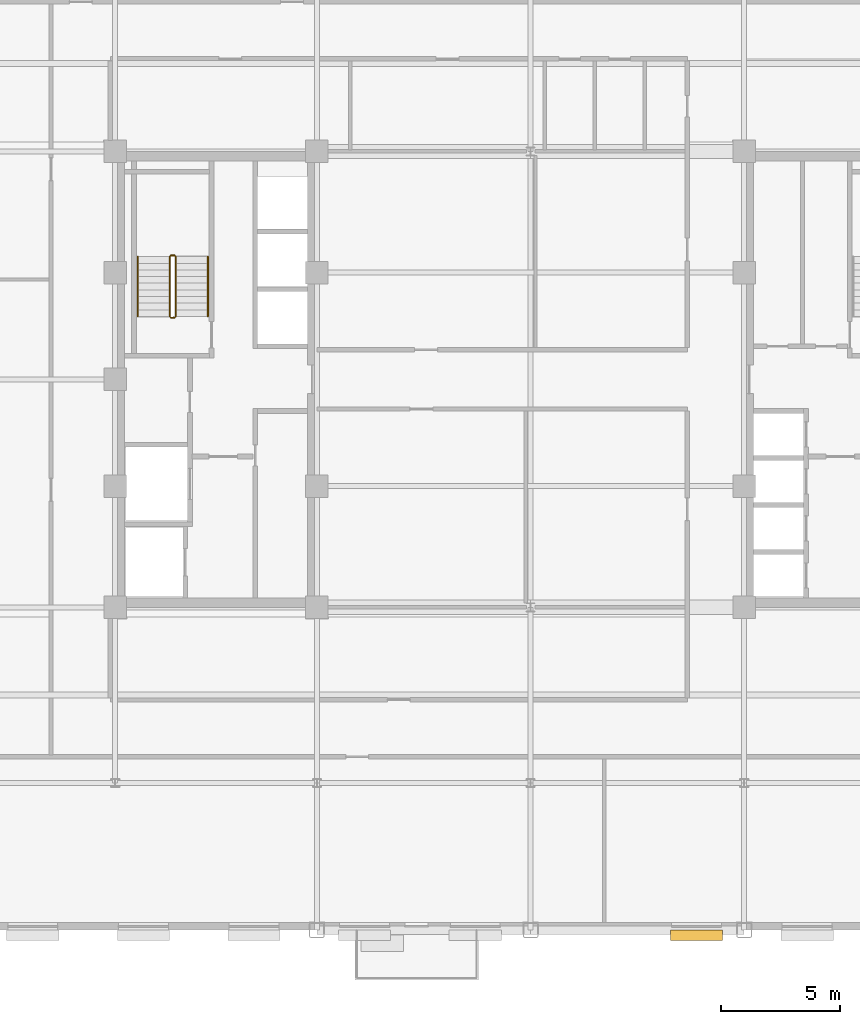
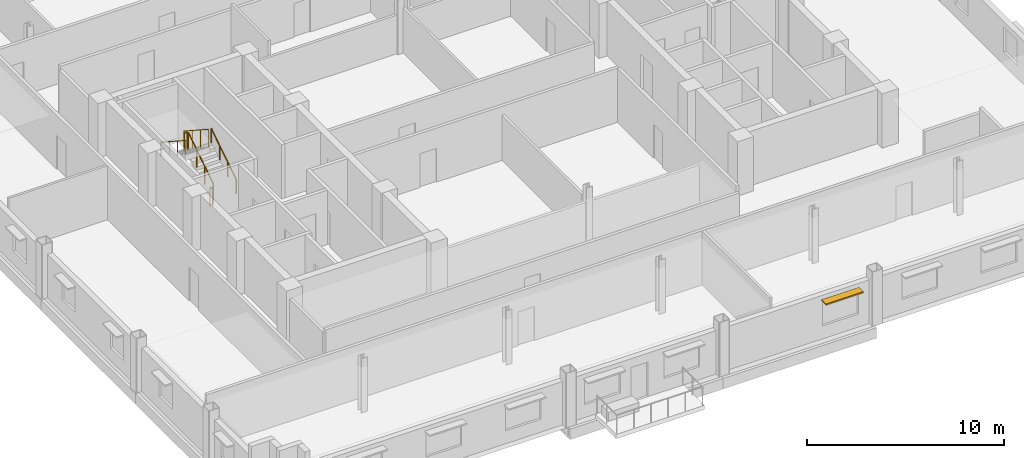
# One storey, part 12 of 14: 6 railings, 1 shading device.
"""IFC4 building model written with IfcOpenShell, lengths in metres."""

from ifc_helpers import new_model, si_unit, direction, frame, origin, origin_2d, place, context, subcontext, project, spatial, rectangle, circle, extrude, source, transform, mapped, material, type_object, type_shapes, element, save


model = new_model("IFC4")

# Units and contexts
model_context = context("Model", 3, precision=1e-05, world=origin(), true_north=direction((0.0, 1.0)))
body_context = subcontext(model_context, "Body", "Model", "MODEL_VIEW")
ifc_project = project(units=[si_unit("LENGTHUNIT", "METRE"), si_unit("AREAUNIT", "SQUARE_METRE"), si_unit("VOLUMEUNIT", "CUBIC_METRE"), si_unit("PLANEANGLEUNIT", "RADIAN"), si_unit("MASSUNIT", "GRAM", prefix="KILO")], contexts=[model_context])

# Site, building, storey
site_placement = place(None, origin())
site = spatial("IfcSite", under=ifc_project, at=site_placement, CompositionType="ELEMENT")
building_placement = place(site_placement, origin())
building = spatial("IfcBuilding", under=site, at=building_placement, Name="Nuvemarco Arch Tower", CompositionType="ELEMENT")
storey_placement = place(building_placement, frame((0.0, 0.0, 142.10009765625)))
storey = spatial("IfcBuildingStorey", under=building, at=storey_placement, Name="L37", CompositionType="ELEMENT", Elevation=142.10009765625)

# Railings
ifc_material_1 = material(Name="Brushed stainless steel handrail", Category="steel")
railing_type_1 = type_object("IfcRailingType", Name="RL-HANDRAIL-900", PredefinedType="HANDRAIL", material=ifc_material_1)
railing_1_placement = place(storey_placement, frame((-13.590087890625, 2.64990234375, 0.182373046875)))
element("IfcRailing", 1, at=railing_1_placement, inside=storey, type_object=railing_type_1, Name="L37 ST-1 stair handrail 1", PredefinedType="HANDRAIL", context=body_context, shape_type="SweptSolid", body=[
    extrude(circle(Radius=0.02392578125, at=origin_2d()), frame((0.0, 0.0, 0.8759765625), z_axis=(0.0, 0.837749427056, 0.546054848405), x_axis=(-1.0, 0.0, 0.0)), (0.0, 0.0, 1.0), 3.008056640625),
    extrude(circle(Radius=0.02099609375, at=origin_2d()), origin(), (0.0, 0.0, 1.0), 0.851806640625),
    extrude(circle(Radius=0.02099609375, at=origin_2d()), frame((0.0, 0.840087890625, 0.547607421875)), (0.0, 0.0, 1.0), 0.851806640625),
    extrude(circle(Radius=0.02099609375, at=origin_2d()), frame((0.0, 1.679931640625, 1.094970703125)), (0.0, 0.0, 1.0), 0.851806640625),
    extrude(circle(Radius=0.02099609375, at=origin_2d()), frame((0.0, 2.52001953125, 1.642578125)), (0.0, 0.0, 1.0), 0.851806640625),
])
railing_2_placement = place(storey_placement, frame((-16.550048828125, 5.169921875, 2.00732421875)))
element("IfcRailing", 2, at=railing_2_placement, inside=storey, type_object=railing_type_1, Name="L37 ST-1 stair handrail 2", PredefinedType="HANDRAIL", context=body_context, shape_type="SweptSolid", body=[
    extrude(circle(Radius=0.02392578125, at=origin_2d()), frame((0.0, 0.0, 0.8759765625), z_axis=(0.0, -0.837749427056, 0.546054848405), x_axis=(1.0, 0.0, 0.0)), (0.0, 0.0, 1.0), 3.008056640625),
    extrude(circle(Radius=0.02099609375, at=origin_2d()), origin(), (0.0, 0.0, 1.0), 0.851806640625),
    extrude(circle(Radius=0.02099609375, at=origin_2d()), frame((0.0, -0.840087890625, 0.547607421875)), (0.0, 0.0, 1.0), 0.851806640625),
    extrude(circle(Radius=0.02099609375, at=origin_2d()), frame((0.0, -1.679931640625, 1.094970703125)), (0.0, 0.0, 1.0), 0.851806640625),
    extrude(circle(Radius=0.02099609375, at=origin_2d()), frame((0.0, -2.52001953125, 1.642578125)), (0.0, 0.0, 1.0), 0.851806640625),
])
ifc_material_2 = material(Name="Painted balustrade steel S355", Category="steel")
railing_type_2 = type_object("IfcRailingType", Name="RL-STAIR-GUARD", PredefinedType="GUARDRAIL", material=ifc_material_2)
railing_3_placement = place(storey_placement, frame((-14.93994140625, 2.64990234375, 0.182373046875)))
element("IfcRailing", 3, at=railing_3_placement, inside=storey, type_object=railing_type_2, Name="L37 ST-1 stair guard 1", PredefinedType="GUARDRAIL", context=body_context, shape_type="SweptSolid", body=[
    extrude(circle(Radius=0.02392578125, at=origin_2d()), frame((0.0, 0.0, 1.09619140625), z_axis=(0.0, 0.837749427056, 0.546054848405), x_axis=(-1.0, 0.0, 0.0)), (0.0, 0.0, 1.0), 3.008056640625),
    extrude(circle(Radius=0.02099609375, at=origin_2d()), origin(), (0.0, 0.0, 1.0), 1.072021484375),
    extrude(circle(Radius=0.02099609375, at=origin_2d()), frame((0.0, 0.840087890625, 0.547607421875)), (0.0, 0.0, 1.0), 1.072021484375),
    extrude(circle(Radius=0.02099609375, at=origin_2d()), frame((0.0, 1.679931640625, 1.094970703125)), (0.0, 0.0, 1.0), 1.072021484375),
    extrude(circle(Radius=0.02099609375, at=origin_2d()), frame((0.0, 2.52001953125, 1.642578125)), (0.0, 0.0, 1.0), 1.072021484375),
])
railing_4_placement = place(storey_placement, frame((-14.989990234375, 5.219970703125, 1.824951171875)))
element("IfcRailing", 4, at=railing_4_placement, inside=storey, type_object=railing_type_2, Name="L37 ST-1 stair guard 2", PredefinedType="GUARDRAIL", context=body_context, shape_type="SweptSolid", body=[
    extrude(circle(Radius=0.02392578125, at=origin_2d()), frame((0.0, 0.0, 1.09619140625), z_axis=(-1.0, 0.0, 0.0), x_axis=(0.0, -1.0, 0.0)), (0.0, 0.0, 1.0), 0.159912109375),
    extrude(circle(Radius=0.02099609375, at=origin_2d()), origin(), (0.0, 0.0, 1.0), 1.072021484375),
    extrude(circle(Radius=0.02099609375, at=origin_2d()), frame((-0.159912109375, 0.0, 0.0)), (0.0, 0.0, 1.0), 1.072021484375),
])
railing_5_placement = place(storey_placement, frame((-15.199951171875, 5.169921875, 2.00732421875)))
element("IfcRailing", 5, at=railing_5_placement, inside=storey, type_object=railing_type_2, Name="L37 ST-1 stair guard 3", PredefinedType="GUARDRAIL", context=body_context, shape_type="SweptSolid", body=[
    extrude(circle(Radius=0.02392578125, at=origin_2d()), frame((0.0, 0.0, 1.09619140625), z_axis=(0.0, -0.837749427056, 0.546054848405), x_axis=(1.0, 0.0, 0.0)), (0.0, 0.0, 1.0), 3.008056640625),
    extrude(circle(Radius=0.02099609375, at=origin_2d()), origin(), (0.0, 0.0, 1.0), 1.072021484375),
    extrude(circle(Radius=0.02099609375, at=origin_2d()), frame((0.0, -0.840087890625, 0.547607421875)), (0.0, 0.0, 1.0), 1.072021484375),
    extrude(circle(Radius=0.02099609375, at=origin_2d()), frame((0.0, -1.679931640625, 1.094970703125)), (0.0, 0.0, 1.0), 1.072021484375),
    extrude(circle(Radius=0.02099609375, at=origin_2d()), frame((0.0, -2.52001953125, 1.642578125)), (0.0, 0.0, 1.0), 1.072021484375),
])
railing_6_placement = place(storey_placement, frame((-14.989990234375, 2.60009765625, 0.0)))
element("IfcRailing", 6, at=railing_6_placement, inside=storey, type_object=railing_type_2, Name="L37 ST-1 stair guard 4", PredefinedType="GUARDRAIL", context=body_context, shape_type="SweptSolid", body=[
    extrude(circle(Radius=0.02392578125, at=origin_2d()), frame((0.0, 0.0, 1.09619140625), z_axis=(-1.0, 0.0, 0.0), x_axis=(0.0, -1.0, 0.0)), (0.0, 0.0, 1.0), 0.159912109375),
    extrude(circle(Radius=0.02099609375, at=origin_2d()), origin(), (0.0, 0.0, 1.0), 1.072021484375),
    extrude(circle(Radius=0.02099609375, at=origin_2d()), frame((-0.159912109375, 0.0, 0.0)), (0.0, 0.0, 1.0), 1.072021484375),
])

# Shading device
ifc_material_3 = material(Name="Anodised aluminium 6063-T6", Category="aluminium")
shading_device_type = type_object("IfcShadingDeviceType", Name="SHD-BRISE-SOLEIL", PredefinedType="USERDEFINED", material=ifc_material_3)
shared_shape = source(origin(), body_context, "Body", "SweptSolid", [
    extrude(rectangle(XDim=2.199951171875, YDim=0.449951171875, at=origin_2d()), origin(), (0.0, 0.0, 1.0), 0.080078125),
])
type_shapes(shading_device_type, [shared_shape])
shading_device_placement = place(storey_placement, frame((6.989990234375, -23.4150390625, 2.36474609375), z_axis=(0.0, 0.0, 1.0), x_axis=(1.0, 0.0, 0.0)))
element("IfcShadingDevice", 7, at=shading_device_placement, inside=storey, type_object=shading_device_type, Name="L37 horizontal brise-soleil sunshade", ObjectType="SUNSHADE", PredefinedType="USERDEFINED", context=body_context, shape_type="MappedRepresentation", body=[
    mapped(shared_shape, transform((0.0, 0.0, 0.0), scale=1.0)),
])

save(model, "model.ifc")
